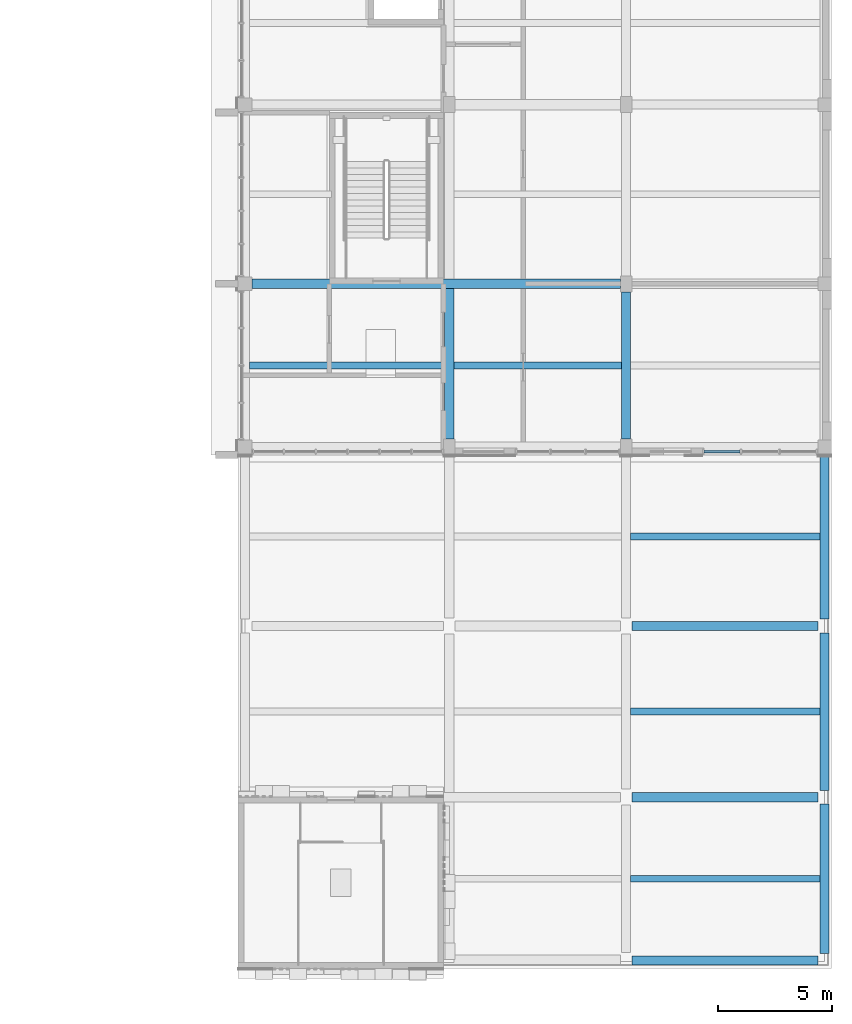
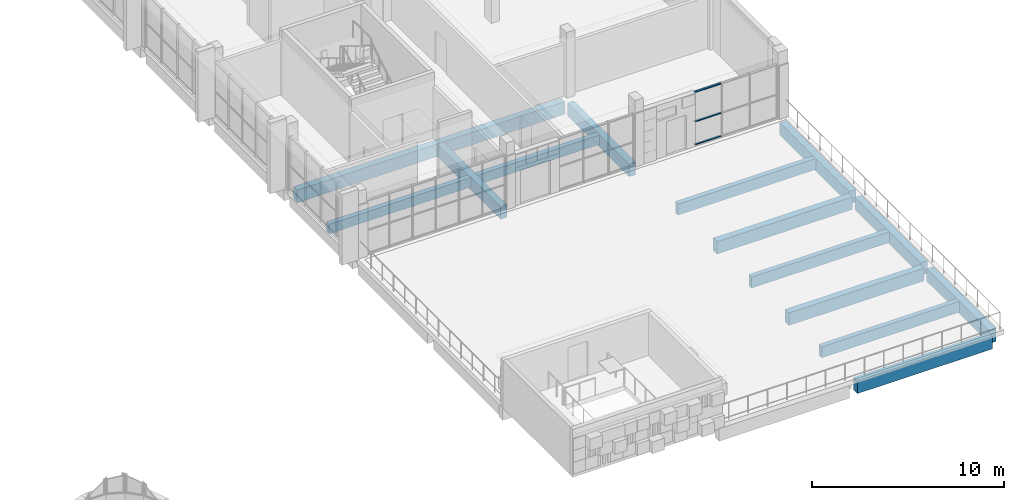
# One storey, part 9 of 42: 14 beams, 3 members, 1 element without a shape of its own.
"""IFC4 building model written with IfcOpenShell, lengths in metres."""

from ifc_helpers import new_model, si_unit, direction, frame, origin, origin_2d, place, context, subcontext, project, spatial, rectangle, hollow_rectangle, extrude, material, material_profile, profile_set, type_object, element, aggregate, save


model = new_model("IFC4")

# Units and contexts
model_context = context("Model", 3, precision=1e-05, world=origin(), true_north=direction((0.0, 1.0)))
body_context = subcontext(model_context, "Body", "Model", "MODEL_VIEW")
ifc_project = project(units=[si_unit("LENGTHUNIT", "METRE"), si_unit("AREAUNIT", "SQUARE_METRE"), si_unit("VOLUMEUNIT", "CUBIC_METRE"), si_unit("PLANEANGLEUNIT", "RADIAN"), si_unit("MASSUNIT", "GRAM", prefix="KILO")], contexts=[model_context])

# Site, building, storey
site_placement = place(None, origin())
site = spatial("IfcSite", under=ifc_project, at=site_placement, CompositionType="ELEMENT")
building_placement = place(site_placement, origin())
building = spatial("IfcBuilding", under=site, at=building_placement, Name="Sun Court Science Centre", CompositionType="ELEMENT")
storey_placement = place(building_placement, frame((0.0, 0.0, 20.25)))
storey = spatial("IfcBuildingStorey", under=building, at=storey_placement, Name="L04", CompositionType="ELEMENT", Elevation=20.25)

# Curtain wall, members
ifc_material_1 = material(Name="Aluminium EN AW-6063 T6", Category="aluminium")
curtain_wall_type = type_object("IfcCurtainWallType", Name="Laboratory tall bay curtain wall 1500", PredefinedType="NOTDEFINED", material=ifc_material_1)
curtain_wall_placement = place(storey_placement, origin())
curtain_wall = element("IfcCurtainWall", 1, at=curtain_wall_placement, inside=storey, type_object=curtain_wall_type, Name="Curtain wall V4 S4 L04 01", PredefinedType="NOTDEFINED")
ifc_material_2 = material(Name="Aluminium EN AW-6063 T6", Category="aluminium")
ifc_material_profile_1 = material_profile(ifc_material_2, hollow_rectangle(XDim=0.06005859375, YDim=0.1201171875, WallThickness=0.00390625, InnerFilletRadius=0.00390625, OuterFilletRadius=0.006103515625, at=origin_2d()), Name="AL 60x120x4")
ifc_profile_set_1 = profile_set([ifc_material_profile_1], Name="Aluminium EN AW-6063 T6")
member_type = type_object("IfcMemberType", Name="Curtain wall transom AL 60x120", PredefinedType="USERDEFINED", material=ifc_profile_set_1)
member_1_placement = place(storey_placement, frame((100.00341796875, 28.64990234375, 0.030029296875), z_axis=(-1.0, 0.0, 0.0), x_axis=(0.0, 0.0, 1.0)))
member_1 = element("IfcMember", 2, at=member_1_placement, type_object=member_type, Name="CW2-55 transom 3.1", ObjectType="TRANSOM", PredefinedType="USERDEFINED", context=body_context, shape_type="SweptSolid", body=[
    extrude(hollow_rectangle(XDim=0.06005859375, YDim=0.1201171875, WallThickness=0.00390625, InnerFilletRadius=0.00390625, OuterFilletRadius=0.006103515625, at=origin_2d()), origin(), (0.0, 0.0, 1.0), 1.593505859375),
])
member_2_placement = place(storey_placement, frame((100.00341796875, 28.64990234375, 1.5), z_axis=(-1.0, 0.0, 0.0), x_axis=(0.0, 0.0, 1.0)))
member_2 = element("IfcMember", 3, at=member_2_placement, type_object=member_type, Name="CW2-55 transom 3.2", ObjectType="TRANSOM", PredefinedType="USERDEFINED", context=body_context, shape_type="SweptSolid", body=[
    extrude(hollow_rectangle(XDim=0.06005859375, YDim=0.1201171875, WallThickness=0.00390625, InnerFilletRadius=0.00390625, OuterFilletRadius=0.006103515625, at=origin_2d()), origin(), (0.0, 0.0, 1.0), 1.593505859375),
])
member_3_placement = place(storey_placement, frame((100.00341796875, 28.64990234375, 3.3701171875), z_axis=(-1.0, 0.0, 0.0), x_axis=(0.0, 0.0, 1.0)))
member_3 = element("IfcMember", 4, at=member_3_placement, type_object=member_type, Name="CW2-55 transom 3.3", ObjectType="TRANSOM", PredefinedType="USERDEFINED", context=body_context, shape_type="SweptSolid", body=[
    extrude(hollow_rectangle(XDim=0.06005859375, YDim=0.1201171875, WallThickness=0.00390625, InnerFilletRadius=0.00390625, OuterFilletRadius=0.006103515625, at=origin_2d()), origin(), (0.0, 0.0, 1.0), 1.593505859375),
])
aggregate(curtain_wall, [member_1, member_2, member_3])

# Beams
ifc_material_3 = material(Name="Concrete C25/30", Category="concrete")
ifc_material_profile_2 = material_profile(ifc_material_3, rectangle(XDim=0.39990234375, YDim=0.800048828125, at=origin_2d()), Name="RC 400x800")
ifc_profile_set_2 = profile_set([ifc_material_profile_2], Name="Concrete C25/30")
beam_type_1 = type_object("IfcBeamType", Name="RC girder 400x800", PredefinedType="BEAM", material=ifc_profile_set_2)
for number, where, z_axis, x_axis, name in (
    (5, (95.25, 6.35009765625, -0.699951171875), (1.0, 0.0, 0.0), (0.0, 1.0, 0.0), "Girder L04 row 1"),
    (6, (95.25, 13.5, -0.699951171875), (1.0, 0.0, 0.0), (0.0, 1.0, 0.0), "Girder L04 row 2"),
    (7, (95.25, 21.0, -0.699951171875), (1.0, 0.0, 0.0), (0.0, 1.0, 0.0), "Girder L04 row 3"),
):
    element("IfcBeam", number, at=place(storey_placement, frame(where, z_axis=z_axis, x_axis=x_axis)), inside=storey, type_object=beam_type_1, Name=name, PredefinedType="BEAM", context=body_context, shape_type="SweptSolid", body=[
        extrude(rectangle(XDim=0.39990234375, YDim=0.800048828125, at=origin_2d()), origin(), (0.0, 0.0, 1.0), 8.14990234375),
    ])
beam_1_placement = place(storey_placement, frame((78.60009765625, 36.0, -0.699951171875), z_axis=(1.0, 0.0, 0.0), x_axis=(0.0, 1.0, 0.0)))
element("IfcBeam", 8, at=beam_1_placement, inside=storey, type_object=beam_type_1, Name="Girder L04 row 5", PredefinedType="BEAM", context=body_context, shape_type="SweptSolid", body=[
    extrude(rectangle(XDim=0.39990234375, YDim=0.800048828125, at=origin_2d()), origin(), (0.0, 0.0, 1.0), 16.14990234375),
])
beam_2_placement = place(storey_placement, frame((87.25, 29.199951171875, -0.699951171875), z_axis=(0.0, 1.0, 0.0), x_axis=(-1.0, 0.0, 0.0)))
element("IfcBeam", 9, at=beam_2_placement, inside=storey, type_object=beam_type_1, Name="Girder L04 line 2", PredefinedType="BEAM", context=body_context, shape_type="SweptSolid", body=[
    extrude(rectangle(XDim=0.39990234375, YDim=0.800048828125, at=origin_2d()), origin(), (0.0, 0.0, 1.0), 6.60009765625),
])
beam_3_placement = place(storey_placement, frame((95.0, 29.199951171875, -0.699951171875), z_axis=(0.0, 1.0, 0.0), x_axis=(-1.0, 0.0, 0.0)))
element("IfcBeam", 10, at=beam_3_placement, inside=storey, type_object=beam_type_1, Name="Girder L04 line 3", PredefinedType="BEAM", context=body_context, shape_type="SweptSolid", body=[
    extrude(rectangle(XDim=0.39990234375, YDim=0.800048828125, at=origin_2d()), origin(), (0.0, 0.0, 1.0), 6.449951171875),
])
beam_4_placement = place(storey_placement, frame((103.699951171875, 6.64990234375, -0.699951171875), z_axis=(0.0, 1.0, 0.0), x_axis=(-1.0, 0.0, 0.0)))
element("IfcBeam", 11, at=beam_4_placement, inside=storey, type_object=beam_type_1, Name="Girder L04 line 4", PredefinedType="BEAM", context=body_context, shape_type="SweptSolid", body=[
    extrude(rectangle(XDim=0.39990234375, YDim=0.800048828125, at=origin_2d()), origin(), (0.0, 0.0, 1.0), 6.550048828125),
])
beam_5_placement = place(storey_placement, frame((103.699951171875, 13.800048828125, -0.699951171875), z_axis=(0.0, 1.0, 0.0), x_axis=(-1.0, 0.0, 0.0)))
element("IfcBeam", 12, at=beam_5_placement, inside=storey, type_object=beam_type_1, Name="Girder L04 line 4", PredefinedType="BEAM", context=body_context, shape_type="SweptSolid", body=[
    extrude(rectangle(XDim=0.39990234375, YDim=0.800048828125, at=origin_2d()), origin(), (0.0, 0.0, 1.0), 6.89990234375),
])
beam_6_placement = place(storey_placement, frame((103.699951171875, 21.300048828125, -0.699951171875), z_axis=(0.0, 1.0, 0.0), x_axis=(-1.0, 0.0, 0.0)))
element("IfcBeam", 13, at=beam_6_placement, inside=storey, type_object=beam_type_1, Name="Girder L04 line 4", PredefinedType="BEAM", context=body_context, shape_type="SweptSolid", body=[
    extrude(rectangle(XDim=0.39990234375, YDim=0.800048828125, at=origin_2d()), origin(), (0.0, 0.0, 1.0), 7.25),
])
ifc_material_4 = material(Name="Concrete C25/30", Category="concrete")
ifc_material_profile_3 = material_profile(ifc_material_4, rectangle(XDim=0.300048828125, YDim=0.60009765625, at=origin_2d()), Name="RC 300x600")
ifc_profile_set_3 = profile_set([ifc_material_profile_3], Name="Concrete C25/30")
beam_type_2 = type_object("IfcBeamType", Name="RC joist 300x600", PredefinedType="JOIST", material=ifc_profile_set_3)
beam_7_placement = place(storey_placement, frame((78.5, 32.425048828125, -0.60009765625), z_axis=(1.0, 0.0, 0.0), x_axis=(0.0, 1.0, 0.0)))
element("IfcBeam", 14, at=beam_7_placement, inside=storey, type_object=beam_type_2, Name="Joist L04", PredefinedType="JOIST", context=body_context, shape_type="SweptSolid", body=[
    extrude(rectangle(XDim=0.300048828125, YDim=0.60009765625, at=origin_2d()), origin(), (0.0, 0.0, 1.0), 8.550048828125),
])
beam_8_placement = place(storey_placement, frame((87.449951171875, 32.425048828125, -0.60009765625), z_axis=(1.0, 0.0, 0.0), x_axis=(0.0, 1.0, 0.0)))
element("IfcBeam", 15, at=beam_8_placement, inside=storey, type_object=beam_type_2, Name="Joist L04", PredefinedType="JOIST", context=body_context, shape_type="SweptSolid", body=[
    extrude(rectangle(XDim=0.300048828125, YDim=0.60009765625, at=origin_2d()), origin(), (0.0, 0.0, 1.0), 7.35009765625),
])
ifc_material_5 = material(Name="Concrete C25/30", Category="concrete")
ifc_material_profile_4 = material_profile(ifc_material_5, rectangle(XDim=0.300048828125, YDim=0.699951171875, at=origin_2d()), Name="RC 300x700")
ifc_profile_set_4 = profile_set([ifc_material_profile_4], Name="Concrete C25/30")
beam_type_3 = type_object("IfcBeamType", Name="RC joist 300x700", PredefinedType="JOIST", material=ifc_profile_set_4)
for number, where, z_axis, x_axis, name in (
    (16, (95.199951171875, 9.925048828125, -0.64990234375), (1.0, 0.0, 0.0), (0.0, 1.0, 0.0), "Joist L04"),
    (17, (95.199951171875, 17.25, -0.64990234375), (1.0, 0.0, 0.0), (0.0, 1.0, 0.0), "Joist L04"),
    (18, (95.199951171875, 24.925048828125, -0.64990234375), (1.0, 0.0, 0.0), (0.0, 1.0, 0.0), "Joist L04"),
):
    element("IfcBeam", number, at=place(storey_placement, frame(where, z_axis=z_axis, x_axis=x_axis)), inside=storey, type_object=beam_type_3, Name=name, PredefinedType="JOIST", context=body_context, shape_type="SweptSolid", body=[
        extrude(rectangle(XDim=0.300048828125, YDim=0.699951171875, at=origin_2d()), origin(), (0.0, 0.0, 1.0), 8.300048828125),
    ])

save(model, "model.ifc")
